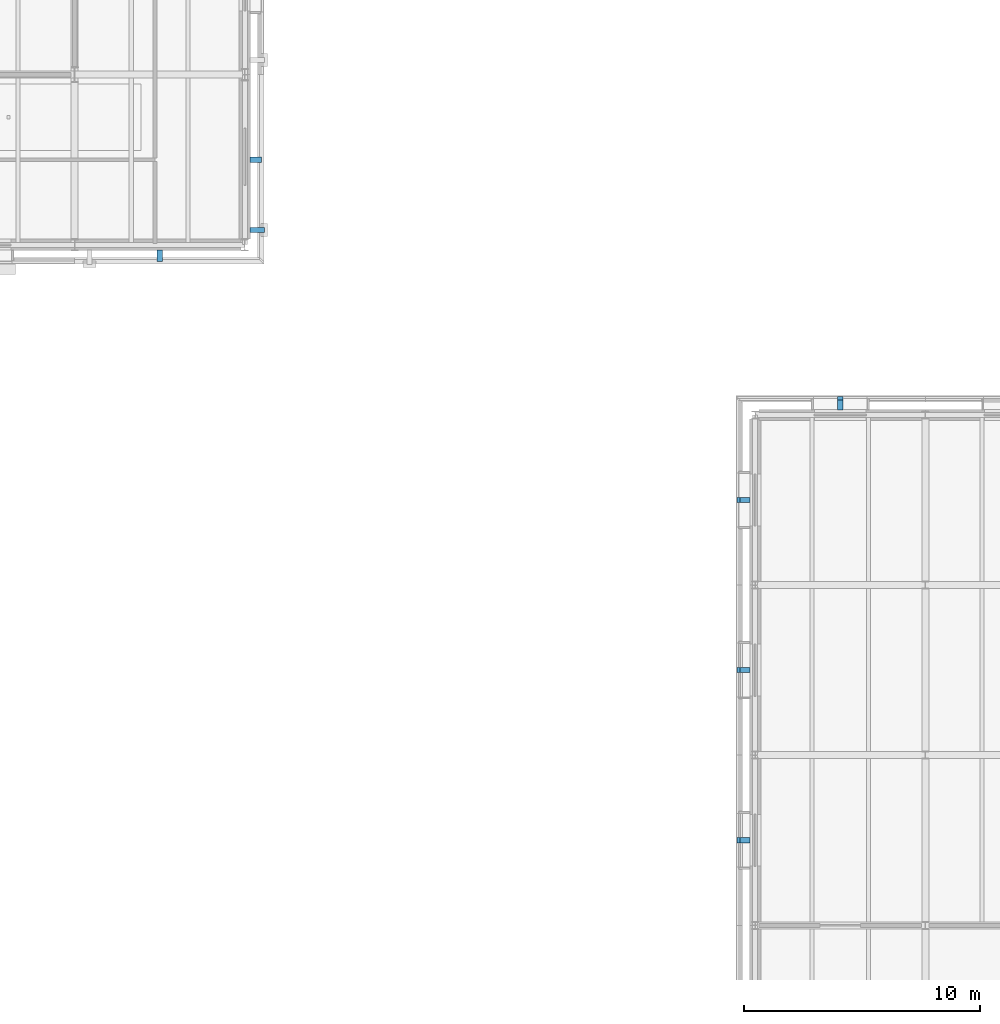
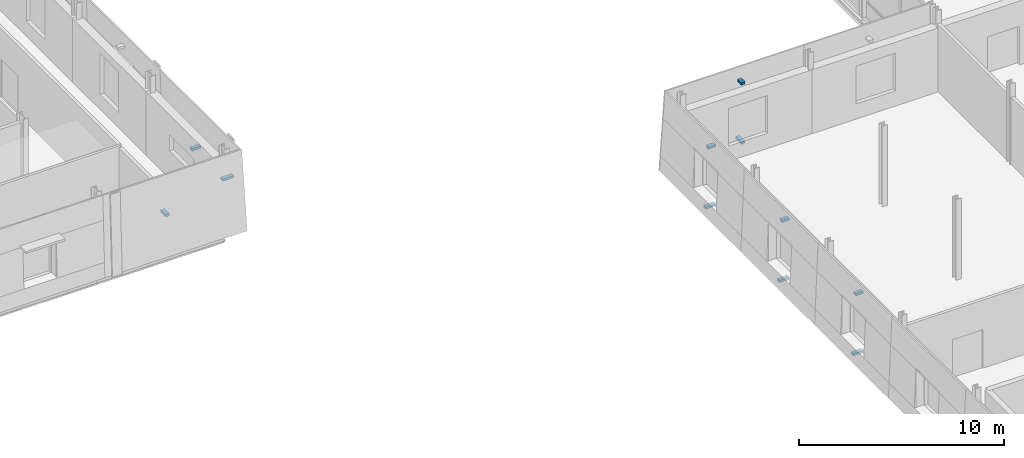
# One storey, part 93 of 121: 11 discrete accessories.
"""IFC4 building model written with IfcOpenShell, lengths in metres."""

import ifcopenshell
import ifcopenshell.guid

model = None  # the IFC model being written
_history = None  # IfcOwnerHistory: only IFC2X3 demands one
_inside = {}  # id of a spatial element -> (the spatial element, [elements in it])
_under = {}  # id of a project, library or spatial element -> (it, [spatial elements below it])
_declared = {}  # id of a project -> (the project, [libraries it declares])
_typed = {}  # id of a type object -> (the type object, [elements of that type])
_made_of = {}  # id of a material, layer set ... -> (it, [elements and type objects made of it])


def new_model(schema):
    """Start an empty IFC model of exactly this schema.

    Asked for "IFC4X3", IfcOpenShell would pick the latest addendum, in which some entities
    have other attributes; the version numbers below select the first issue.
    IFC2X3 requires an IfcOwnerHistory on every rooted entity: one is made here for all.
    """
    global model, _history
    if schema == "IFC4X3":
        model = ifcopenshell.file(schema_version=(4, 3, 0, 0))
    else:
        model = ifcopenshell.file(schema=schema)
    _inside.clear()
    _under.clear()
    _declared.clear()
    _typed.clear()
    _made_of.clear()
    _history = None
    if model.schema == "IFC2X3":
        org = make("IfcOrganization", Name="unknown")
        user = make(
            "IfcPersonAndOrganization",
            ThePerson=make("IfcPerson", FamilyName="unknown"),
            TheOrganization=org,
        )
        app = make(
            "IfcApplication",
            ApplicationDeveloper=org,
            Version="unknown",
            ApplicationFullName="unknown",
            ApplicationIdentifier="unknown",
        )
        _history = make(
            "IfcOwnerHistory",
            OwningUser=user,
            OwningApplication=app,
            ChangeAction="ADDED",
            CreationDate=0,
        )
    return model


def make(cls, **values):
    """One entity of the class cls with the attributes given. An attribute that is None is left unset."""
    return model.create_entity(
        cls, **{name: value for name, value in values.items() if value is not None}
    )


def rooted(cls, **values):
    """An entity with a GlobalId (a new one), such as an element, a storey or a relation."""
    return make(cls, GlobalId=ifcopenshell.guid.new(), OwnerHistory=_history, **values)


def si_unit(unit_type, name, prefix=None):
    """IfcSIUnit, for example si_unit("LENGTHUNIT", "METRE", prefix="MILLI")."""
    return make("IfcSIUnit", UnitType=unit_type, Prefix=prefix, Name=name)


def assignment(units):
    """IfcUnitAssignment: the units of a project."""
    return None if units is None else make("IfcUnitAssignment", Units=units)


def point(xyz):
    """IfcCartesianPoint."""
    return None if xyz is None else make("IfcCartesianPoint", Coordinates=xyz)


def direction(xyz):
    """IfcDirection."""
    return None if xyz is None else make("IfcDirection", DirectionRatios=xyz)


def frame(location, z_axis=None, x_axis=None):
    """IfcAxis2Placement3D, a coordinate frame: its origin and axes. An axis left out is left unset."""
    return make(
        "IfcAxis2Placement3D",
        Location=point(location),
        Axis=direction(z_axis),
        RefDirection=direction(x_axis),
    )


def frame_2d(location, x_axis=None):
    """IfcAxis2Placement2D, a coordinate frame in the plane: its origin and x axis."""
    return make(
        "IfcAxis2Placement2D", Location=point(location), RefDirection=direction(x_axis)
    )


def origin():
    """The frame at (0, 0, 0) with its axes left unset."""
    return frame((0.0, 0.0, 0.0))


def origin_2d():
    """The frame at (0, 0) in the plane with its x axis left unset."""
    return frame_2d((0.0, 0.0))


def place(relative_to, where):
    """IfcLocalPlacement: puts the frame where relative to a parent placement (None: the world)."""
    return make(
        "IfcLocalPlacement", PlacementRelTo=relative_to, RelativePlacement=where
    )


def context(
    kind, dimensions, precision=None, world=None, true_north=None, identifier=None
):
    """IfcGeometricRepresentationContext, for example the 3D "Model" context."""
    return make(
        "IfcGeometricRepresentationContext",
        ContextIdentifier=identifier,
        ContextType=kind,
        CoordinateSpaceDimension=dimensions,
        Precision=precision,
        WorldCoordinateSystem=world,
        TrueNorth=true_north,
    )


def subcontext(parent, identifier, kind, view, scale=None):
    """IfcGeometricRepresentationSubContext, for example "Body" below "Model"."""
    return make(
        "IfcGeometricRepresentationSubContext",
        ContextIdentifier=identifier,
        ContextType=kind,
        ParentContext=parent,
        TargetScale=scale,
        TargetView=view,
    )


def project(units=None, contexts=None):
    """IfcProject with its units and contexts."""
    return rooted(
        "IfcProject",
        Name="project",
        RepresentationContexts=contexts,
        UnitsInContext=assignment(units),
    )


def spatial(cls, under=None, at=None, **own):
    """A site, building, storey or space (cls), placed at a placement, below another one or the project."""
    s = rooted(cls, ObjectPlacement=at, **own)
    if under is not None:
        _under.setdefault(under.id(), (under, []))[1].append(s)
    return s


def profile(cls, at=None, kind="AREA", **sizes):
    """A parametric profile (cls). Its sizes go by their IFC names, for example OverallWidth=200.0."""
    return make(cls, ProfileType=kind, Position=at, **sizes)


def rectangle(**sizes):
    """IfcRectangleProfileDef."""
    return profile("IfcRectangleProfileDef", **sizes)


def extrude(swept, where, along, depth):
    """IfcExtrudedAreaSolid: the profile swept, set in the frame where, extruded along a direction by depth."""
    return make(
        "IfcExtrudedAreaSolid",
        SweptArea=swept,
        Position=where,
        ExtrudedDirection=direction(along),
        Depth=depth,
    )


def shape(context_of_items, identifier, shape_type, items):
    """IfcShapeRepresentation: the items that make up one representation, for example the "Body"."""
    return make(
        "IfcShapeRepresentation",
        ContextOfItems=context_of_items,
        RepresentationIdentifier=identifier,
        RepresentationType=shape_type,
        Items=items,
    )


def material(Name=None, Category=None):
    """IfcMaterial."""
    return make("IfcMaterial", Name=Name, Category=Category)


def layer(
    of_material, thickness, ventilated=None, Name=None, Category=None, Priority=None
):
    """IfcMaterialLayer: one layer of a wall or slab, of a material (None: an air gap)."""
    return make(
        "IfcMaterialLayer",
        Material=of_material,
        LayerThickness=thickness,
        IsVentilated=ventilated,
        Name=Name,
        Category=Category,
        Priority=Priority,
    )


def layer_set(layers, Name=None):
    """IfcMaterialLayerSet."""
    return make("IfcMaterialLayerSet", MaterialLayers=layers, LayerSetName=Name)


def made_of(thing, what):
    """Note that an element or type object is made of a material, layer set ...; save() writes the relation."""
    if what is not None:
        _made_of.setdefault(what.id(), (what, []))[1].append(thing)
    return thing


def type_object(cls, material=None, **own):
    """A type object (cls), such as IfcWallType, which elements share."""
    return made_of(rooted(cls, **own), material)


def element(
    cls,
    number,
    at=None,
    inside=None,
    cuts=None,
    type_object=None,
    material=None,
    context=None,
    identifier="Body",
    shape_type=None,
    held_by="IfcProductDefinitionShape",
    body=None,
    shapes=None,
    **own,
):
    """One element of the class cls, such as IfcWall. Its Tag is "e" and its number.

    at: its placement. inside: the storey or other place that contains it. cuts: it is an
    opening in that element (IfcRelVoidsElement). A single representation is given by context,
    identifier, shape_type and body (its items); several are given by shapes. held_by: the class
    of the entity that holds the representations. save() writes the other relations.
    """
    e = rooted(cls, Tag="e%d" % number, ObjectPlacement=at, **own)
    if body is not None:
        shapes = [shape(context, identifier, shape_type, body)]
    if shapes is not None:
        e.Representation = make(held_by, Representations=shapes)
    if inside is not None:
        _inside.setdefault(inside.id(), (inside, []))[1].append(e)
    if cuts is not None:
        rooted(
            "IfcRelVoidsElement", RelatingBuildingElement=cuts, RelatedOpeningElement=e
        )
    if type_object is not None:
        _typed.setdefault(type_object.id(), (type_object, []))[1].append(e)
    return made_of(e, material)


def aggregate(whole, parts):
    """IfcRelAggregates: a whole, such as a stair, and the parts it consists of."""
    return rooted("IfcRelAggregates", RelatingObject=whole, RelatedObjects=parts)


def save(model, path):
    """Write the relations noted so far, then the file.

    IfcRelAggregates (storeys below a building ...), IfcRelContainedInSpatialStructure (elements
    in a storey), IfcRelDefinesByType, IfcRelAssociatesMaterial and IfcRelDeclares: one each for
    every whole, place, type object, material and project.
    """
    for whole, parts in _under.values():
        aggregate(whole, parts)
    for where, things in _inside.values():
        rooted(
            "IfcRelContainedInSpatialStructure",
            RelatedElements=things,
            RelatingStructure=where,
        )
    for kind, things in _typed.values():
        rooted("IfcRelDefinesByType", RelatedObjects=things, RelatingType=kind)
    for what, things in _made_of.values():
        rooted("IfcRelAssociatesMaterial", RelatedObjects=things, RelatingMaterial=what)
    for by, libraries in _declared.values():
        rooted("IfcRelDeclares", RelatingContext=by, RelatedDefinitions=libraries)
    model.write(path)


model = new_model("IFC4")

# Units and contexts
model_context = context("Model", 3, precision=1e-05, world=origin(), true_north=direction((0.0, 1.0)))
body_context = subcontext(model_context, "Body", "Model", "MODEL_VIEW")
ifc_project = project(units=[si_unit("LENGTHUNIT", "METRE"), si_unit("AREAUNIT", "SQUARE_METRE"), si_unit("VOLUMEUNIT", "CUBIC_METRE"), si_unit("PLANEANGLEUNIT", "RADIAN"), si_unit("MASSUNIT", "GRAM", prefix="KILO")], contexts=[model_context])

# Site, building, storey
site_placement = place(None, origin())
site = spatial("IfcSite", under=ifc_project, at=site_placement, CompositionType="ELEMENT")
building_placement = place(site_placement, origin())
building = spatial("IfcBuilding", under=site, at=building_placement, Name="Narikvali Park Central Library", CompositionType="ELEMENT")
storey_placement = place(building_placement, frame((0.0, 0.0, 5.39990234375)))
storey = spatial("IfcBuildingStorey", under=building, at=storey_placement, Name="L01", CompositionType="ELEMENT", Elevation=5.39990234375)

# Discrete accessories
ifc_material = material(Name="Brushed Stainless Steel S355", Category="steel")
ifc_layer = layer(ifc_material, 0.139892578125, Name="Brushed Stainless Steel S355")
ifc_layer_set = layer_set([ifc_layer], Name="Brushed Stainless Steel S355")
discrete_accessory_type = type_object("IfcDiscreteAccessoryType", Name="Cladding Stainless Tie-Back Corbel Bracket", PredefinedType="BRACKET", material=ifc_layer_set)
discrete_accessory_1_placement = place(storey_placement, frame((97.199951171875, 57.14453125, 2.330078125), z_axis=(0.0, 0.0, 1.0), x_axis=(1.0, 0.0, 0.0)))
element("IfcDiscreteAccessory", 1, at=discrete_accessory_1_placement, inside=storey, type_object=discrete_accessory_type, Name="Limestone Cladding Tie-Back Bracket V1-CLD-L01-S-B05-FULL", PredefinedType="BRACKET", context=body_context, shape_type="SweptSolid", body=[
    extrude(rectangle(XDim=0.219970703125, YDim=0.49072265625, at=origin_2d()), origin(), (0.0, 0.0, 1.0), 0.139892578125),
])
discrete_accessory_2_placement = place(storey_placement, frame((101.325439453125, 58.22509765625, 2.330078125), z_axis=(0.0, 0.0, 1.0), x_axis=(1.0, 0.0, 0.0)))
element("IfcDiscreteAccessory", 2, at=discrete_accessory_2_placement, inside=storey, type_object=discrete_accessory_type, Name="Limestone Cladding Tie-Back Bracket V1-PIL-L01-E-B01", PredefinedType="BRACKET", context=body_context, shape_type="SweptSolid", body=[
    extrude(rectangle(XDim=0.630859375, YDim=0.219970703125, at=origin_2d()), origin(), (0.0, 0.0, 1.0), 0.139892578125),
])
discrete_accessory_3_placement = place(storey_placement, frame((101.25537109375, 61.199951171875, 2.330078125), z_axis=(0.0, 0.0, 1.0), x_axis=(1.0, 0.0, 0.0)))
element("IfcDiscreteAccessory", 3, at=discrete_accessory_3_placement, inside=storey, type_object=discrete_accessory_type, Name="Limestone Cladding Tie-Back Bracket V1-CLD-L01-E-B01-FULL", PredefinedType="BRACKET", context=body_context, shape_type="SweptSolid", body=[
    extrude(rectangle(XDim=0.49072265625, YDim=0.219970703125, at=origin_2d()), origin(), (0.0, 0.0, 1.0), 0.139892578125),
])
discrete_accessory_4_placement = place(storey_placement, frame((126.0, 50.895263671875, 0.38037109375), z_axis=(0.0, 0.0, 1.0), x_axis=(1.0, 0.0, 0.0)))
element("IfcDiscreteAccessory", 4, at=discrete_accessory_4_placement, inside=storey, type_object=discrete_accessory_type, Name="Limestone Cladding Tie-Back Bracket V6-CLD-L01-N-B06-SP", PredefinedType="BRACKET", context=body_context, shape_type="SweptSolid", body=[
    extrude(rectangle(XDim=0.219970703125, YDim=0.570556640625, at=origin_2d()), origin(), (0.0, 0.0, 1.0), 0.139892578125),
])
discrete_accessory_5_placement = place(storey_placement, frame((126.0, 50.8232421875, 3.9052734375), z_axis=(0.0, 0.0, 1.0), x_axis=(1.0, 0.0, 0.0)))
element("IfcDiscreteAccessory", 5, at=discrete_accessory_5_placement, inside=storey, type_object=discrete_accessory_type, Name="Limestone Cladding Tie-Back Bracket V6-CLD-L01-N-B06-LN", PredefinedType="BRACKET", context=body_context, shape_type="SweptSolid", body=[
    extrude(rectangle(XDim=0.219970703125, YDim=0.426513671875, at=origin_2d()), origin(), (0.0, 0.0, 1.0), 0.139892578125),
])
discrete_accessory_6_placement = place(storey_placement, frame((121.90478515625, 46.800048828125, 0.38037109375), z_axis=(0.0, 0.0, 1.0), x_axis=(1.0, 0.0, 0.0)))
element("IfcDiscreteAccessory", 6, at=discrete_accessory_6_placement, inside=storey, type_object=discrete_accessory_type, Name="Limestone Cladding Tie-Back Bracket V6-CLD-L01-W-B01-SP", PredefinedType="BRACKET", context=body_context, shape_type="SweptSolid", body=[
    extrude(rectangle(XDim=0.570556640625, YDim=0.219970703125, at=origin_2d()), origin(), (0.0, 0.0, 1.0), 0.139892578125),
])
discrete_accessory_7_placement = place(storey_placement, frame((121.976806640625, 46.800048828125, 3.9052734375), z_axis=(0.0, 0.0, 1.0), x_axis=(1.0, 0.0, 0.0)))
element("IfcDiscreteAccessory", 7, at=discrete_accessory_7_placement, inside=storey, type_object=discrete_accessory_type, Name="Limestone Cladding Tie-Back Bracket V6-CLD-L01-W-B01-LN", PredefinedType="BRACKET", context=body_context, shape_type="SweptSolid", body=[
    extrude(rectangle(XDim=0.426513671875, YDim=0.219970703125, at=origin_2d()), origin(), (0.0, 0.0, 1.0), 0.139892578125),
])
discrete_accessory_8_placement = place(storey_placement, frame((121.90478515625, 39.60009765625, 0.38037109375), z_axis=(0.0, 0.0, 1.0), x_axis=(1.0, 0.0, 0.0)))
element("IfcDiscreteAccessory", 8, at=discrete_accessory_8_placement, inside=storey, type_object=discrete_accessory_type, Name="Limestone Cladding Tie-Back Bracket V6-CLD-L01-W-B02-SP", PredefinedType="BRACKET", context=body_context, shape_type="SweptSolid", body=[
    extrude(rectangle(XDim=0.570556640625, YDim=0.219970703125, at=origin_2d()), origin(), (0.0, 0.0, 1.0), 0.139892578125),
])
discrete_accessory_9_placement = place(storey_placement, frame((121.976806640625, 39.60009765625, 3.9052734375), z_axis=(0.0, 0.0, 1.0), x_axis=(1.0, 0.0, 0.0)))
element("IfcDiscreteAccessory", 9, at=discrete_accessory_9_placement, inside=storey, type_object=discrete_accessory_type, Name="Limestone Cladding Tie-Back Bracket V6-CLD-L01-W-B02-LN", PredefinedType="BRACKET", context=body_context, shape_type="SweptSolid", body=[
    extrude(rectangle(XDim=0.426513671875, YDim=0.219970703125, at=origin_2d()), origin(), (0.0, 0.0, 1.0), 0.139892578125),
])
discrete_accessory_10_placement = place(storey_placement, frame((121.90478515625, 32.39990234375, 0.38037109375), z_axis=(0.0, 0.0, 1.0), x_axis=(1.0, 0.0, 0.0)))
element("IfcDiscreteAccessory", 10, at=discrete_accessory_10_placement, inside=storey, type_object=discrete_accessory_type, Name="Limestone Cladding Tie-Back Bracket V6-CLD-L01-W-B03-SP", PredefinedType="BRACKET", context=body_context, shape_type="SweptSolid", body=[
    extrude(rectangle(XDim=0.570556640625, YDim=0.219970703125, at=origin_2d()), origin(), (0.0, 0.0, 1.0), 0.139892578125),
])
discrete_accessory_11_placement = place(storey_placement, frame((121.976806640625, 32.39990234375, 3.9052734375), z_axis=(0.0, 0.0, 1.0), x_axis=(1.0, 0.0, 0.0)))
element("IfcDiscreteAccessory", 11, at=discrete_accessory_11_placement, inside=storey, type_object=discrete_accessory_type, Name="Limestone Cladding Tie-Back Bracket V6-CLD-L01-W-B03-LN", PredefinedType="BRACKET", context=body_context, shape_type="SweptSolid", body=[
    extrude(rectangle(XDim=0.426513671875, YDim=0.219970703125, at=origin_2d()), origin(), (0.0, 0.0, 1.0), 0.139892578125),
])

save(model, "model.ifc")
